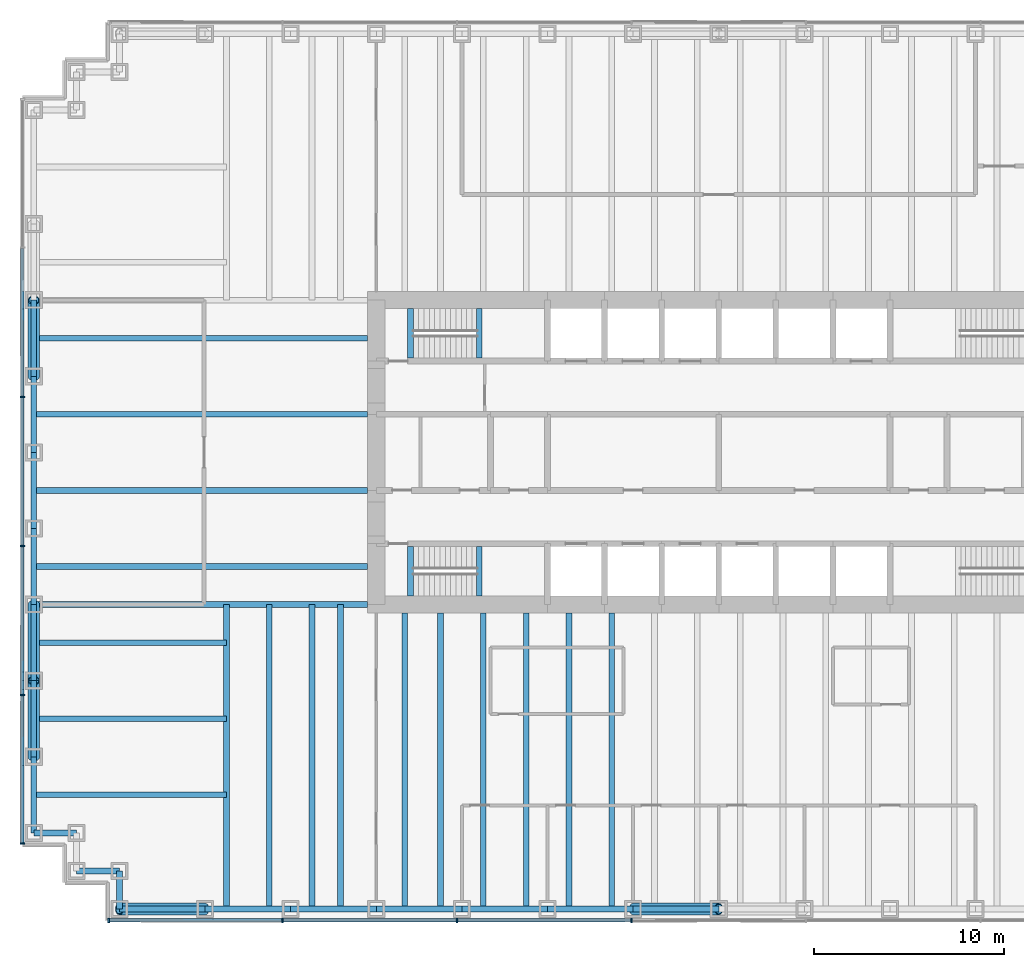
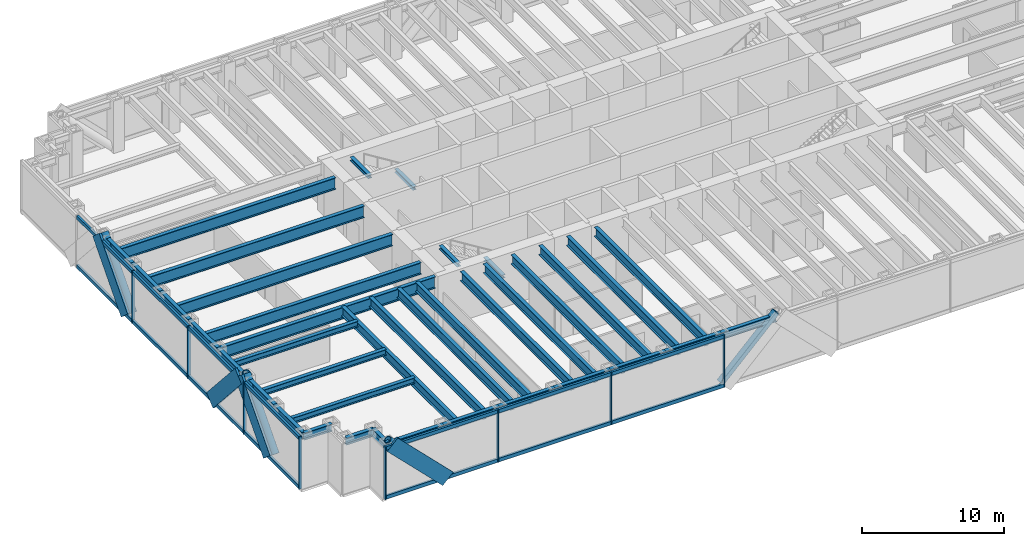
# One storey, part 2 of 13: 39 beams, 31 members, 2 elements without a shape of their own.
"""IFC4 building model written with IfcOpenShell, lengths in metres."""

from ifc_helpers import new_model, si_unit, direction, frame, origin, origin_2d, place, context, subcontext, project, spatial, rectangle, hollow_circle, i_section, extrude, material, material_profile, profile_set, type_object, element, aggregate, save


model = new_model("IFC4")

# Units and contexts
model_context = context("Model", 3, precision=1e-05, world=origin(), true_north=direction((0.0, 1.0)))
body_context = subcontext(model_context, "Body", "Model", "MODEL_VIEW")
ifc_project = project(units=[si_unit("LENGTHUNIT", "METRE"), si_unit("AREAUNIT", "SQUARE_METRE"), si_unit("VOLUMEUNIT", "CUBIC_METRE"), si_unit("PLANEANGLEUNIT", "RADIAN"), si_unit("MASSUNIT", "GRAM", prefix="KILO")], contexts=[model_context])

# Site, building, storey
site_placement = place(None, origin())
site = spatial("IfcSite", under=ifc_project, at=site_placement, CompositionType="ELEMENT")
building_placement = place(site_placement, origin())
building = spatial("IfcBuilding", under=site, at=building_placement, Name="Rheinbord Bourse Tower", CompositionType="ELEMENT")
storey_placement = place(building_placement, frame((0.0, 0.0, 27.5)))
storey = spatial("IfcBuildingStorey", under=building, at=storey_placement, Name="L05", CompositionType="ELEMENT", Elevation=27.5)

# Curtain wall, member
ifc_material_1 = material(Name="Dark glass and black aluminium", Category="aluminium")
curtain_wall_type = type_object("IfcCurtainWallType", Name="CW1 DARK GLASS CURTAIN WALL", PredefinedType="USERDEFINED", material=ifc_material_1)
curtain_wall_1_placement = place(storey_placement, origin())
curtain_wall_1 = element("IfcCurtainWall", 1, at=curtain_wall_1_placement, inside=storey, type_object=curtain_wall_type, Name="Curtain wall CW1 S L05", ObjectType="UNITISED CURTAIN WALL", PredefinedType="USERDEFINED")
ifc_material_2 = material(Name="Black anodised aluminium", Category="aluminium")
ifc_material_profile_1 = material_profile(ifc_material_2, rectangle(XDim=0.179931640625, YDim=1.2099609375, at=origin_2d()), Name="CW1 DIAGONAL MULLION 1210x180")
ifc_profile_set_1 = profile_set([ifc_material_profile_1], Name="Black anodised aluminium")
member_type_1 = type_object("IfcMemberType", Name="CW1 BLACK DIAGONAL MULLION", PredefinedType="USERDEFINED", material=ifc_profile_set_1)
member_1_placement = place(storey_placement, frame((9.0, -0.60009765625, 0.0), z_axis=(-0.707106781187, 0.0, 0.707106781187), x_axis=(0.0, -1.0, 0.0)))
member_1 = element("IfcMember", 2, at=member_1_placement, type_object=member_type_1, Name="CW1 diagonal mullion d", ObjectType="DIAGONAL MULLION", PredefinedType="USERDEFINED", context=body_context, shape_type="SweptSolid", body=[
    extrude(rectangle(XDim=0.179931640625, YDim=1.2099609375, at=origin_2d()), origin(), (0.0, 0.0, 1.0), 6.364013671875),
])

# Curtain wall, members
curtain_wall_2_placement = place(storey_placement, origin())
curtain_wall_2 = element("IfcCurtainWall", 3, at=curtain_wall_2_placement, inside=storey, type_object=curtain_wall_type, Name="Curtain wall CW1 W L05", ObjectType="UNITISED CURTAIN WALL", PredefinedType="USERDEFINED")
member_2_placement = place(storey_placement, frame((-0.60009765625, 28.0, 0.0), z_axis=(0.0, 0.66436383883, 0.747409318684), x_axis=(-1.0, 0.0, 0.0)))
member_2 = element("IfcMember", 4, at=member_2_placement, type_object=member_type_1, Name="CW1 diagonal mullion a", ObjectType="DIAGONAL MULLION", PredefinedType="USERDEFINED", context=body_context, shape_type="SweptSolid", body=[
    extrude(rectangle(XDim=0.179931640625, YDim=1.2099609375, at=origin_2d()), origin(), (0.0, 0.0, 1.0), 6.020751953125),
])
member_3_placement = place(storey_placement, frame((-0.60009765625, 16.0, 0.0), z_axis=(0.0, -0.66436383883, 0.747409318684), x_axis=(1.0, 0.0, 0.0)))
member_3 = element("IfcMember", 5, at=member_3_placement, type_object=member_type_1, Name="CW1 diagonal mullion b", ObjectType="DIAGONAL MULLION", PredefinedType="USERDEFINED", context=body_context, shape_type="SweptSolid", body=[
    extrude(rectangle(XDim=0.179931640625, YDim=1.2099609375, at=origin_2d()), origin(), (0.0, 0.0, 1.0), 6.020751953125),
])
member_4_placement = place(storey_placement, frame((-0.60009765625, 8.0, 0.0), z_axis=(0.0, 0.66436383883, 0.747409318684), x_axis=(-1.0, 0.0, 0.0)))
member_4 = element("IfcMember", 6, at=member_4_placement, type_object=member_type_1, Name="CW1 diagonal mullion d", ObjectType="DIAGONAL MULLION", PredefinedType="USERDEFINED", context=body_context, shape_type="SweptSolid", body=[
    extrude(rectangle(XDim=0.179931640625, YDim=1.2099609375, at=origin_2d()), origin(), (0.0, 0.0, 1.0), 6.020751953125),
])

# Member
ifc_material_3 = material(Name="Black anodised aluminium", Category="aluminium")
ifc_material_profile_2 = material_profile(ifc_material_3, rectangle(XDim=0.25, YDim=0.080078125, at=origin_2d()), Name="CW1 MULLION 80x250")
ifc_profile_set_2 = profile_set([ifc_material_profile_2], Name="Black anodised aluminium")
member_type_2 = type_object("IfcMemberType", Name="CW1 BLACK MULLION", PredefinedType="MULLION", material=ifc_profile_set_2)
member_5_placement = place(storey_placement, frame((3.93994140625, -0.60009765625, 0.0), z_axis=(0.0, 0.0, 1.0), x_axis=(0.0, 1.0, 0.0)))
member_5 = element("IfcMember", 7, at=member_5_placement, type_object=member_type_2, Name="CW1 mullion 1", PredefinedType="MULLION", context=body_context, shape_type="SweptSolid", body=[
    extrude(rectangle(XDim=0.25, YDim=0.080078125, at=origin_2d()), origin(), (0.0, 0.0, 1.0), 4.5),
])

member_6_placement = place(storey_placement, frame((13.071533203125, -0.60009765625, 0.0), z_axis=(0.0, 0.0, 1.0), x_axis=(0.0, 1.0, 0.0)))
member_6 = element("IfcMember", 8, at=member_6_placement, type_object=member_type_2, Name="CW1 mullion 2", PredefinedType="MULLION", context=body_context, shape_type="SweptSolid", body=[
    extrude(rectangle(XDim=0.25, YDim=0.080078125, at=origin_2d()), origin(), (0.0, 0.0, 1.0), 4.5),
])

member_7_placement = place(storey_placement, frame((22.242919921875, -0.60009765625, 0.0), z_axis=(0.0, 0.0, 1.0), x_axis=(0.0, 1.0, 0.0)))
member_7 = element("IfcMember", 9, at=member_7_placement, type_object=member_type_2, Name="CW1 mullion 3", PredefinedType="MULLION", context=body_context, shape_type="SweptSolid", body=[
    extrude(rectangle(XDim=0.25, YDim=0.080078125, at=origin_2d()), origin(), (0.0, 0.0, 1.0), 4.5),
])

member_8_placement = place(storey_placement, frame((31.414306640625, -0.60009765625, 0.0), z_axis=(0.0, 0.0, 1.0), x_axis=(0.0, 1.0, 0.0)))
member_8 = element("IfcMember", 10, at=member_8_placement, type_object=member_type_2, Name="CW1 mullion 4", PredefinedType="MULLION", context=body_context, shape_type="SweptSolid", body=[
    extrude(rectangle(XDim=0.25, YDim=0.080078125, at=origin_2d()), origin(), (0.0, 0.0, 1.0), 4.5),
])

member_9_placement = place(storey_placement, frame((-0.60009765625, 26.919921875, 0.0), z_axis=(0.0, 0.0, 1.0), x_axis=(1.0, 0.0, 0.0)))
member_9 = element("IfcMember", 11, at=member_9_placement, type_object=member_type_2, Name="CW1 mullion 3", PredefinedType="MULLION", context=body_context, shape_type="SweptSolid", body=[
    extrude(rectangle(XDim=0.25, YDim=0.080078125, at=origin_2d()), origin(), (0.0, 0.0, 1.0), 4.5),
])

member_10_placement = place(storey_placement, frame((-0.60009765625, 19.080078125, 0.0), z_axis=(0.0, 0.0, 1.0), x_axis=(1.0, 0.0, 0.0)))
member_10 = element("IfcMember", 12, at=member_10_placement, type_object=member_type_2, Name="CW1 mullion 4", PredefinedType="MULLION", context=body_context, shape_type="SweptSolid", body=[
    extrude(rectangle(XDim=0.25, YDim=0.080078125, at=origin_2d()), origin(), (0.0, 0.0, 1.0), 4.5),
])

member_11_placement = place(storey_placement, frame((-0.60009765625, 11.239990234375, 0.0), z_axis=(0.0, 0.0, 1.0), x_axis=(1.0, 0.0, 0.0)))
member_11 = element("IfcMember", 13, at=member_11_placement, type_object=member_type_2, Name="CW1 mullion 5", PredefinedType="MULLION", context=body_context, shape_type="SweptSolid", body=[
    extrude(rectangle(XDim=0.25, YDim=0.080078125, at=origin_2d()), origin(), (0.0, 0.0, 1.0), 4.5),
])

member_12_placement = place(storey_placement, frame((-0.60009765625, 3.43994140625, 0.0), z_axis=(0.0, 0.0, 1.0), x_axis=(1.0, 0.0, 0.0)))
member_12 = element("IfcMember", 14, at=member_12_placement, type_object=member_type_2, Name="CW1 mullion 6", PredefinedType="MULLION", context=body_context, shape_type="SweptSolid", body=[
    extrude(rectangle(XDim=0.25, YDim=0.080078125, at=origin_2d()), origin(), (0.0, 0.0, 1.0), 4.5),
])

ifc_material_4 = material(Name="Black anodised aluminium", Category="aluminium")
ifc_material_profile_3 = material_profile(ifc_material_4, rectangle(XDim=0.179931640625, YDim=0.300048828125, at=origin_2d()), Name="CW1 TRANSOM 300x180")
ifc_profile_set_3 = profile_set([ifc_material_profile_3], Name="Black anodised aluminium")
member_type_3 = type_object("IfcMemberType", Name="CW1 BLACK TRANSOM", PredefinedType="USERDEFINED", material=ifc_profile_set_3)
member_13_placement = place(storey_placement, frame((3.97998046875, -0.60009765625, 0.14990234375), z_axis=(1.0, 0.0, 0.0), x_axis=(0.0, 1.0, 0.0)))
member_13 = element("IfcMember", 15, at=member_13_placement, type_object=member_type_3, Name="CW1 transom 1.1", ObjectType="TRANSOM", PredefinedType="USERDEFINED", context=body_context, shape_type="SweptSolid", body=[
    extrude(rectangle(XDim=0.179931640625, YDim=0.300048828125, at=origin_2d()), origin(), (0.0, 0.0, 1.0), 9.051513671875),
])

member_14_placement = place(storey_placement, frame((3.97998046875, -0.60009765625, 4.35009765625), z_axis=(1.0, 0.0, 0.0), x_axis=(0.0, 1.0, 0.0)))
member_14 = element("IfcMember", 16, at=member_14_placement, type_object=member_type_3, Name="CW1 transom 1.2", ObjectType="TRANSOM", PredefinedType="USERDEFINED", context=body_context, shape_type="SweptSolid", body=[
    extrude(rectangle(XDim=0.179931640625, YDim=0.300048828125, at=origin_2d()), origin(), (0.0, 0.0, 1.0), 9.051513671875),
])

member_15_placement = place(storey_placement, frame((13.111328125, -0.60009765625, 0.14990234375), z_axis=(1.0, 0.0, 0.0), x_axis=(0.0, 1.0, 0.0)))
member_15 = element("IfcMember", 17, at=member_15_placement, type_object=member_type_3, Name="CW1 transom 2.1", ObjectType="TRANSOM", PredefinedType="USERDEFINED", context=body_context, shape_type="SweptSolid", body=[
    extrude(rectangle(XDim=0.179931640625, YDim=0.300048828125, at=origin_2d()), origin(), (0.0, 0.0, 1.0), 9.091552734375),
])

member_16_placement = place(storey_placement, frame((13.111328125, -0.60009765625, 4.35009765625), z_axis=(1.0, 0.0, 0.0), x_axis=(0.0, 1.0, 0.0)))
member_16 = element("IfcMember", 18, at=member_16_placement, type_object=member_type_3, Name="CW1 transom 2.2", ObjectType="TRANSOM", PredefinedType="USERDEFINED", context=body_context, shape_type="SweptSolid", body=[
    extrude(rectangle(XDim=0.179931640625, YDim=0.300048828125, at=origin_2d()), origin(), (0.0, 0.0, 1.0), 9.091552734375),
])

member_17_placement = place(storey_placement, frame((22.282958984375, -0.60009765625, 0.14990234375), z_axis=(1.0, 0.0, 0.0), x_axis=(0.0, 1.0, 0.0)))
member_17 = element("IfcMember", 19, at=member_17_placement, type_object=member_type_3, Name="CW1 transom 3.1", ObjectType="TRANSOM", PredefinedType="USERDEFINED", context=body_context, shape_type="SweptSolid", body=[
    extrude(rectangle(XDim=0.179931640625, YDim=0.300048828125, at=origin_2d()), origin(), (0.0, 0.0, 1.0), 9.09130859375),
])

member_18_placement = place(storey_placement, frame((22.282958984375, -0.60009765625, 4.35009765625), z_axis=(1.0, 0.0, 0.0), x_axis=(0.0, 1.0, 0.0)))
member_18 = element("IfcMember", 20, at=member_18_placement, type_object=member_type_3, Name="CW1 transom 3.2", ObjectType="TRANSOM", PredefinedType="USERDEFINED", context=body_context, shape_type="SweptSolid", body=[
    extrude(rectangle(XDim=0.179931640625, YDim=0.300048828125, at=origin_2d()), origin(), (0.0, 0.0, 1.0), 9.09130859375),
])

aggregate(curtain_wall_1, [member_5, member_6, member_7, member_8, member_13, member_14, member_15, member_16, member_17, member_18, member_1])

member_19_placement = place(storey_placement, frame((-0.60009765625, 34.719970703125, 0.14990234375), z_axis=(0.0, -1.0, 0.0), x_axis=(1.0, 0.0, 0.0)))
member_19 = element("IfcMember", 21, at=member_19_placement, type_object=member_type_3, Name="CW1 transom 2.1", ObjectType="TRANSOM", PredefinedType="USERDEFINED", context=body_context, shape_type="SweptSolid", body=[
    extrude(rectangle(XDim=0.179931640625, YDim=0.300048828125, at=origin_2d()), origin(), (0.0, 0.0, 1.0), 7.760009765625),
])

member_20_placement = place(storey_placement, frame((-0.60009765625, 34.719970703125, 4.35009765625), z_axis=(0.0, -1.0, 0.0), x_axis=(1.0, 0.0, 0.0)))
member_20 = element("IfcMember", 22, at=member_20_placement, type_object=member_type_3, Name="CW1 transom 2.2", ObjectType="TRANSOM", PredefinedType="USERDEFINED", context=body_context, shape_type="SweptSolid", body=[
    extrude(rectangle(XDim=0.179931640625, YDim=0.300048828125, at=origin_2d()), origin(), (0.0, 0.0, 1.0), 7.760009765625),
])

member_21_placement = place(storey_placement, frame((-0.60009765625, 26.8798828125, 0.14990234375), z_axis=(0.0, -1.0, 0.0), x_axis=(1.0, 0.0, 0.0)))
member_21 = element("IfcMember", 23, at=member_21_placement, type_object=member_type_3, Name="CW1 transom 3.1", ObjectType="TRANSOM", PredefinedType="USERDEFINED", context=body_context, shape_type="SweptSolid", body=[
    extrude(rectangle(XDim=0.179931640625, YDim=0.300048828125, at=origin_2d()), origin(), (0.0, 0.0, 1.0), 7.759765625),
])

member_22_placement = place(storey_placement, frame((-0.60009765625, 26.8798828125, 4.35009765625), z_axis=(0.0, -1.0, 0.0), x_axis=(1.0, 0.0, 0.0)))
member_22 = element("IfcMember", 24, at=member_22_placement, type_object=member_type_3, Name="CW1 transom 3.2", ObjectType="TRANSOM", PredefinedType="USERDEFINED", context=body_context, shape_type="SweptSolid", body=[
    extrude(rectangle(XDim=0.179931640625, YDim=0.300048828125, at=origin_2d()), origin(), (0.0, 0.0, 1.0), 7.759765625),
])

member_23_placement = place(storey_placement, frame((-0.60009765625, 19.0400390625, 0.14990234375), z_axis=(0.0, -1.0, 0.0), x_axis=(1.0, 0.0, 0.0)))
member_23 = element("IfcMember", 25, at=member_23_placement, type_object=member_type_3, Name="CW1 transom 4.1", ObjectType="TRANSOM", PredefinedType="USERDEFINED", context=body_context, shape_type="SweptSolid", body=[
    extrude(rectangle(XDim=0.179931640625, YDim=0.300048828125, at=origin_2d()), origin(), (0.0, 0.0, 1.0), 7.760009765625),
])

member_24_placement = place(storey_placement, frame((-0.60009765625, 19.0400390625, 4.35009765625), z_axis=(0.0, -1.0, 0.0), x_axis=(1.0, 0.0, 0.0)))
member_24 = element("IfcMember", 26, at=member_24_placement, type_object=member_type_3, Name="CW1 transom 4.2", ObjectType="TRANSOM", PredefinedType="USERDEFINED", context=body_context, shape_type="SweptSolid", body=[
    extrude(rectangle(XDim=0.179931640625, YDim=0.300048828125, at=origin_2d()), origin(), (0.0, 0.0, 1.0), 7.760009765625),
])

member_25_placement = place(storey_placement, frame((-0.60009765625, 11.199951171875, 0.14990234375), z_axis=(0.0, -1.0, 0.0), x_axis=(1.0, 0.0, 0.0)))
member_25 = element("IfcMember", 27, at=member_25_placement, type_object=member_type_3, Name="CW1 transom 5.1", ObjectType="TRANSOM", PredefinedType="USERDEFINED", context=body_context, shape_type="SweptSolid", body=[
    extrude(rectangle(XDim=0.179931640625, YDim=0.300048828125, at=origin_2d()), origin(), (0.0, 0.0, 1.0), 7.719970703125),
])

member_26_placement = place(storey_placement, frame((-0.60009765625, 11.199951171875, 4.35009765625), z_axis=(0.0, -1.0, 0.0), x_axis=(1.0, 0.0, 0.0)))
member_26 = element("IfcMember", 28, at=member_26_placement, type_object=member_type_3, Name="CW1 transom 5.2", ObjectType="TRANSOM", PredefinedType="USERDEFINED", context=body_context, shape_type="SweptSolid", body=[
    extrude(rectangle(XDim=0.179931640625, YDim=0.300048828125, at=origin_2d()), origin(), (0.0, 0.0, 1.0), 7.719970703125),
])

aggregate(curtain_wall_2, [member_9, member_10, member_11, member_12, member_19, member_20, member_21, member_22, member_23, member_24, member_25, member_26, member_2, member_3, member_4])

# Beams
ifc_material_5 = material(Name="Steel S460", Category="steel")
ifc_material_profile_4 = material_profile(ifc_material_5, i_section(OverallWidth=0.302001953125, OverallDepth=1.008056640625, WebThickness=0.02099609375, FlangeThickness=0.0400390625, at=origin_2d()), Name="HEM 1000")
ifc_profile_set_4 = profile_set([ifc_material_profile_4], Name="Steel S460")
beam_type_1 = type_object("IfcBeamType", Name="END BEAM HEM 1000", PredefinedType="BEAM", material=ifc_profile_set_4)
for number, where, z_axis, x_axis, name in (
    (29, (0.0, 18.0, 3.81591796875), (1.0, 0.0, 0.0), (0.0, 1.0, 0.0), "End beam west 18 L06"),
    (30, (0.0, 22.0, 3.81591796875), (1.0, 0.0, 0.0), (0.0, 1.0, 0.0), "End beam west 22 L06"),
    (31, (0.0, 26.0, 3.81591796875), (1.0, 0.0, 0.0), (0.0, 1.0, 0.0), "End beam west 26 L06"),
    (32, (0.0, 30.0, 3.81591796875), (1.0, 0.0, 0.0), (0.0, 1.0, 0.0), "End beam west 30 L06"),
):
    element("IfcBeam", number, at=place(storey_placement, frame(where, z_axis=z_axis, x_axis=x_axis)), inside=storey, type_object=beam_type_1, Name=name, PredefinedType="BEAM", context=body_context, shape_type="SweptSolid", body=[
        extrude(i_section(OverallWidth=0.302001953125, OverallDepth=1.008056640625, WebThickness=0.02099609375, FlangeThickness=0.0400390625, at=origin_2d()), origin(), (0.0, 0.0, 1.0), 17.550048828125),
    ])
ifc_material_6 = material(Name="Steel S460", Category="steel")
ifc_material_profile_5 = material_profile(ifc_material_6, i_section(OverallWidth=0.300048828125, OverallDepth=0.800048828125, WebThickness=0.017578125, FlangeThickness=0.032958984375, at=origin_2d()), Name="HEB 800")
ifc_profile_set_5 = profile_set([ifc_material_profile_5], Name="Steel S460")
beam_type_2 = type_object("IfcBeamType", Name="FLOOR BEAM HEB 800", PredefinedType="BEAM", material=ifc_profile_set_5)
for number, where, z_axis, x_axis, name in (
    (33, (10.125, 0.0, 3.919921875), (0.0, 1.0, 0.0), (-1.0, 0.0, 0.0), "Floor beam S-9a L06"),
    (34, (12.375, 0.0, 3.919921875), (0.0, 1.0, 0.0), (-1.0, 0.0, 0.0), "Floor beam S-9b L06"),
    (35, (14.625, 0.0, 3.919921875), (0.0, 1.0, 0.0), (-1.0, 0.0, 0.0), "Floor beam S-13.5a L06"),
    (36, (16.125, 0.0, 3.919921875), (0.0, 1.0, 0.0), (-1.0, 0.0, 0.0), "Floor beam S-13.5b L06"),
):
    element("IfcBeam", number, at=place(storey_placement, frame(where, z_axis=z_axis, x_axis=x_axis)), inside=storey, type_object=beam_type_2, Name=name, PredefinedType="BEAM", context=body_context, shape_type="SweptSolid", body=[
        extrude(i_section(OverallWidth=0.300048828125, OverallDepth=0.800048828125, WebThickness=0.017578125, FlangeThickness=0.032958984375, at=origin_2d()), origin(), (0.0, 0.0, 1.0), 16.0),
    ])
for number, where, z_axis, x_axis, name in (
    (37, (19.5, 0.0, 3.919921875), (0.0, 1.0, 0.0), (-1.0, 0.0, 0.0), "Floor beam S-18a L06"),
    (38, (21.375, 0.0, 3.919921875), (0.0, 1.0, 0.0), (-1.0, 0.0, 0.0), "Floor beam S-18b L06"),
    (39, (23.625, 0.0, 3.919921875), (0.0, 1.0, 0.0), (-1.0, 0.0, 0.0), "Floor beam S-22.5a L06"),
    (40, (25.875, 0.0, 3.919921875), (0.0, 1.0, 0.0), (-1.0, 0.0, 0.0), "Floor beam S-22.5b L06"),
    (41, (28.125, 0.0, 3.919921875), (0.0, 1.0, 0.0), (-1.0, 0.0, 0.0), "Floor beam S-27a L06"),
    (42, (30.375, 0.0, 3.919921875), (0.0, 1.0, 0.0), (-1.0, 0.0, 0.0), "Floor beam S-27b L06"),
):
    element("IfcBeam", number, at=place(storey_placement, frame(where, z_axis=z_axis, x_axis=x_axis)), inside=storey, type_object=beam_type_2, Name=name, PredefinedType="BEAM", context=body_context, shape_type="SweptSolid", body=[
        extrude(i_section(OverallWidth=0.300048828125, OverallDepth=0.800048828125, WebThickness=0.017578125, FlangeThickness=0.032958984375, at=origin_2d()), origin(), (0.0, 0.0, 1.0), 15.550048828125),
    ])
ifc_material_7 = material(Name="Steel S460", Category="steel")
ifc_material_profile_6 = material_profile(ifc_material_7, i_section(OverallWidth=0.302001953125, OverallDepth=1.008056640625, WebThickness=0.02099609375, FlangeThickness=0.0400390625, at=origin_2d()), Name="HEM 1000")
ifc_profile_set_6 = profile_set([ifc_material_profile_6], Name="Steel S460")
beam_type_3 = type_object("IfcBeamType", Name="GIRDER HEM 1000", PredefinedType="BEAM", material=ifc_profile_set_6)
beam_1_placement = place(storey_placement, frame((0.0, 16.0, 3.81591796875), z_axis=(1.0, 0.0, 0.0), x_axis=(0.0, 1.0, 0.0)))
element("IfcBeam", 43, at=beam_1_placement, inside=storey, type_object=beam_type_3, Name="Girder west 16 L06", PredefinedType="BEAM", context=body_context, shape_type="SweptSolid", body=[
    extrude(i_section(OverallWidth=0.302001953125, OverallDepth=1.008056640625, WebThickness=0.02099609375, FlangeThickness=0.0400390625, at=origin_2d()), origin(), (0.0, 0.0, 1.0), 17.550048828125),
])
ifc_material_8 = material(Name="Steel S460", Category="steel")
ifc_material_profile_7 = material_profile(ifc_material_8, i_section(OverallWidth=0.300048828125, OverallDepth=0.300048828125, WebThickness=0.010986328125, FlangeThickness=0.01904296875, at=origin_2d()), Name="HEB 300")
ifc_profile_set_7 = profile_set([ifc_material_profile_7], Name="Steel S460")
beam_type_4 = type_object("IfcBeamType", Name="LANDING TRIMMER HEB 300", PredefinedType="BEAM", material=ifc_profile_set_7)
for number, where, z_axis, x_axis, name in (
    (44, (23.409912109375, 16.449951171875, 1.89990234375), (0.0, 1.0, 0.0), (-1.0, 0.0, 0.0), "Landing trimmer ST1 L05"),
    (45, (19.800048828125, 16.449951171875, 4.169921875), (0.0, 1.0, 0.0), (-1.0, 0.0, 0.0), "Well trimmer ST1 under L06"),
    (46, (23.409912109375, 28.949951171875, 1.89990234375), (0.0, 1.0, 0.0), (-1.0, 0.0, 0.0), "Landing trimmer ST2 L05"),
    (47, (19.800048828125, 28.949951171875, 4.169921875), (0.0, 1.0, 0.0), (-1.0, 0.0, 0.0), "Well trimmer ST2 under L06"),
):
    element("IfcBeam", number, at=place(storey_placement, frame(where, z_axis=z_axis, x_axis=x_axis)), inside=storey, type_object=beam_type_4, Name=name, PredefinedType="BEAM", context=body_context, shape_type="SweptSolid", body=[
        extrude(i_section(OverallWidth=0.300048828125, OverallDepth=0.300048828125, WebThickness=0.010986328125, FlangeThickness=0.01904296875, at=origin_2d()), origin(), (0.0, 0.0, 1.0), 2.60009765625),
    ])

# Members
ifc_material_9 = material(Name="Steel S460", Category="steel")
ifc_material_profile_8 = material_profile(ifc_material_9, hollow_circle(Radius=0.304931640625, WallThickness=0.050048828125, at=origin_2d()), Name="CHS 610x50")
ifc_profile_set_8 = profile_set([ifc_material_profile_8], Name="Steel S460")
member_type_4 = type_object("IfcMemberType", Name="MEGABRACE CHS 610x50", PredefinedType="BRACE", material=ifc_profile_set_8)
for number, where, z_axis, x_axis, name in (
    (48, (31.5, 0.0, 0.0), (0.707106781187, 0.0, 0.707106781187), (0.0, 1.0, 0.0), "Megabrace S face line a L05"),
    (49, (9.0, 0.0, 0.0), (-0.707106781187, 0.0, 0.707106781187), (0.0, -1.0, 0.0), "Megabrace S face line d L05"),
):
    element("IfcMember", number, at=place(storey_placement, frame(where, z_axis=z_axis, x_axis=x_axis)), inside=storey, type_object=member_type_4, Name=name, PredefinedType="BRACE", context=body_context, shape_type="SweptSolid", body=[
        extrude(hollow_circle(Radius=0.304931640625, WallThickness=0.050048828125, at=origin_2d()), origin(), (0.0, 0.0, 1.0), 6.364013671875),
    ])
for number, where, z_axis, x_axis, name in (
    (50, (0.0, 28.0, 0.0), (0.0, 0.66436383883, 0.747409318684), (-1.0, 0.0, 0.0), "Megabrace W face line a L05"),
    (51, (0.0, 16.0, 0.0), (0.0, -0.66436383883, 0.747409318684), (1.0, 0.0, 0.0), "Megabrace W face line b L05"),
    (52, (0.0, 8.0, 0.0), (0.0, 0.66436383883, 0.747409318684), (-1.0, 0.0, 0.0), "Megabrace W face line d L05"),
):
    element("IfcMember", number, at=place(storey_placement, frame(where, z_axis=z_axis, x_axis=x_axis)), inside=storey, type_object=member_type_4, Name=name, PredefinedType="BRACE", context=body_context, shape_type="SweptSolid", body=[
        extrude(hollow_circle(Radius=0.304931640625, WallThickness=0.050048828125, at=origin_2d()), origin(), (0.0, 0.0, 1.0), 6.020751953125),
    ])

# Beams
ifc_material_10 = material(Name="Steel S460", Category="steel")
ifc_material_profile_9 = material_profile(ifc_material_10, i_section(OverallWidth=0.304931640625, OverallDepth=0.6201171875, WebThickness=0.02099609375, FlangeThickness=0.0400390625, at=origin_2d()), Name="HEM 600")
ifc_profile_set_9 = profile_set([ifc_material_profile_9], Name="Steel S460")
beam_type_5 = type_object("IfcBeamType", Name="SPANDREL HEM 600", PredefinedType="SPANDREL", material=ifc_profile_set_9)
for number, where, z_axis, x_axis, name in (
    (53, (4.5, 0.0, 4.010009765625), (1.0, 0.0, 0.0), (0.0, 1.0, 0.0), "Spandrel SW-E-S-9 under L06"),
    (54, (9.0, 0.0, 4.010009765625), (1.0, 0.0, 0.0), (0.0, 1.0, 0.0), "Spandrel S-9-S-13.5 under L06"),
    (55, (13.5, 0.0, 4.010009765625), (1.0, 0.0, 0.0), (0.0, 1.0, 0.0), "Spandrel S-13.5-S-18 under L06"),
    (56, (18.0, 0.0, 4.010009765625), (1.0, 0.0, 0.0), (0.0, 1.0, 0.0), "Spandrel S-18-S-22.5 under L06"),
    (57, (22.5, 0.0, 4.010009765625), (1.0, 0.0, 0.0), (0.0, 1.0, 0.0), "Spandrel S-22.5-S-27 under L06"),
    (58, (27.0, 0.0, 4.010009765625), (1.0, 0.0, 0.0), (0.0, 1.0, 0.0), "Spandrel S-27-S-31.5 under L06"),
    (59, (31.5, 0.0, 4.010009765625), (1.0, 0.0, 0.0), (0.0, 1.0, 0.0), "Spandrel S-31.5-S-36 under L06"),
):
    element("IfcBeam", number, at=place(storey_placement, frame(where, z_axis=z_axis, x_axis=x_axis)), inside=storey, type_object=beam_type_5, Name=name, PredefinedType="SPANDREL", context=body_context, shape_type="SweptSolid", body=[
        extrude(i_section(OverallWidth=0.304931640625, OverallDepth=0.6201171875, WebThickness=0.02099609375, FlangeThickness=0.0400390625, at=origin_2d()), origin(), (0.0, 0.0, 1.0), 4.5),
    ])
for number, where, z_axis, x_axis, name in (
    (60, (0.0, 32.0, 4.010009765625), (0.0, -1.0, 0.0), (1.0, 0.0, 0.0), "Spandrel W-32-W-28 under L06"),
    (61, (0.0, 28.0, 4.010009765625), (0.0, -1.0, 0.0), (1.0, 0.0, 0.0), "Spandrel W-28-W-24 under L06"),
    (62, (0.0, 24.0, 4.010009765625), (0.0, -1.0, 0.0), (1.0, 0.0, 0.0), "Spandrel W-24-W-20 under L06"),
    (63, (0.0, 20.0, 4.010009765625), (0.0, -1.0, 0.0), (1.0, 0.0, 0.0), "Spandrel W-20-W-16 under L06"),
    (64, (0.0, 16.0, 4.010009765625), (0.0, -1.0, 0.0), (1.0, 0.0, 0.0), "Spandrel W-16-W-12 under L06"),
    (65, (0.0, 12.0, 4.010009765625), (0.0, -1.0, 0.0), (1.0, 0.0, 0.0), "Spandrel W-12-W-8 under L06"),
    (66, (0.0, 8.0, 4.010009765625), (0.0, -1.0, 0.0), (1.0, 0.0, 0.0), "Spandrel W-8-SW-A under L06"),
):
    element("IfcBeam", number, at=place(storey_placement, frame(where, z_axis=z_axis, x_axis=x_axis)), inside=storey, type_object=beam_type_5, Name=name, PredefinedType="SPANDREL", context=body_context, shape_type="SweptSolid", body=[
        extrude(i_section(OverallWidth=0.304931640625, OverallDepth=0.6201171875, WebThickness=0.02099609375, FlangeThickness=0.0400390625, at=origin_2d()), origin(), (0.0, 0.0, 1.0), 4.0),
    ])
for number, where, z_axis, x_axis, name in (
    (67, (0.0, 4.0, 4.010009765625), (1.0, 0.0, 0.0), (0.0, 1.0, 0.0), "Spandrel SW-A-SW-B under L06"),
    (68, (2.25, 2.0, 4.010009765625), (1.0, 0.0, 0.0), (0.0, 1.0, 0.0), "Spandrel SW-C-SW-D under L06"),
):
    element("IfcBeam", number, at=place(storey_placement, frame(where, z_axis=z_axis, x_axis=x_axis)), inside=storey, type_object=beam_type_5, Name=name, PredefinedType="SPANDREL", context=body_context, shape_type="SweptSolid", body=[
        extrude(i_section(OverallWidth=0.304931640625, OverallDepth=0.6201171875, WebThickness=0.02099609375, FlangeThickness=0.0400390625, at=origin_2d()), origin(), (0.0, 0.0, 1.0), 2.25),
    ])
beam_2_placement = place(storey_placement, frame((4.5, 2.0, 4.010009765625), z_axis=(0.0, -1.0, 0.0), x_axis=(1.0, 0.0, 0.0)))
element("IfcBeam", 69, at=beam_2_placement, inside=storey, type_object=beam_type_5, Name="Spandrel SW-D-SW-E under L06", PredefinedType="SPANDREL", context=body_context, shape_type="SweptSolid", body=[
    extrude(i_section(OverallWidth=0.304931640625, OverallDepth=0.6201171875, WebThickness=0.02099609375, FlangeThickness=0.0400390625, at=origin_2d()), origin(), (0.0, 0.0, 1.0), 2.0),
])
ifc_material_11 = material(Name="Steel S460", Category="steel")
ifc_material_profile_10 = material_profile(ifc_material_11, i_section(OverallWidth=0.300048828125, OverallDepth=0.5, WebThickness=0.014404296875, FlangeThickness=0.028076171875, at=origin_2d()), Name="HEB 500")
ifc_profile_set_10 = profile_set([ifc_material_profile_10], Name="Steel S460")
beam_type_6 = type_object("IfcBeamType", Name="TIE BEAM HEB 500", PredefinedType="JOIST", material=ifc_profile_set_10)
for number, where, z_axis, x_axis, name in (
    (70, (0.0, 6.0, 4.070068359375), (1.0, 0.0, 0.0), (0.0, 1.0, 0.0), "Tie west 6 L06"),
    (71, (0.0, 10.0, 4.070068359375), (1.0, 0.0, 0.0), (0.0, 1.0, 0.0), "Tie west 10 L06"),
    (72, (0.0, 14.0, 4.070068359375), (1.0, 0.0, 0.0), (0.0, 1.0, 0.0), "Tie west 14 L06"),
):
    element("IfcBeam", number, at=place(storey_placement, frame(where, z_axis=z_axis, x_axis=x_axis)), inside=storey, type_object=beam_type_6, Name=name, PredefinedType="JOIST", context=body_context, shape_type="SweptSolid", body=[
        extrude(i_section(OverallWidth=0.300048828125, OverallDepth=0.5, WebThickness=0.014404296875, FlangeThickness=0.028076171875, at=origin_2d()), origin(), (0.0, 0.0, 1.0), 10.125),
    ])

save(model, "model.ifc")
